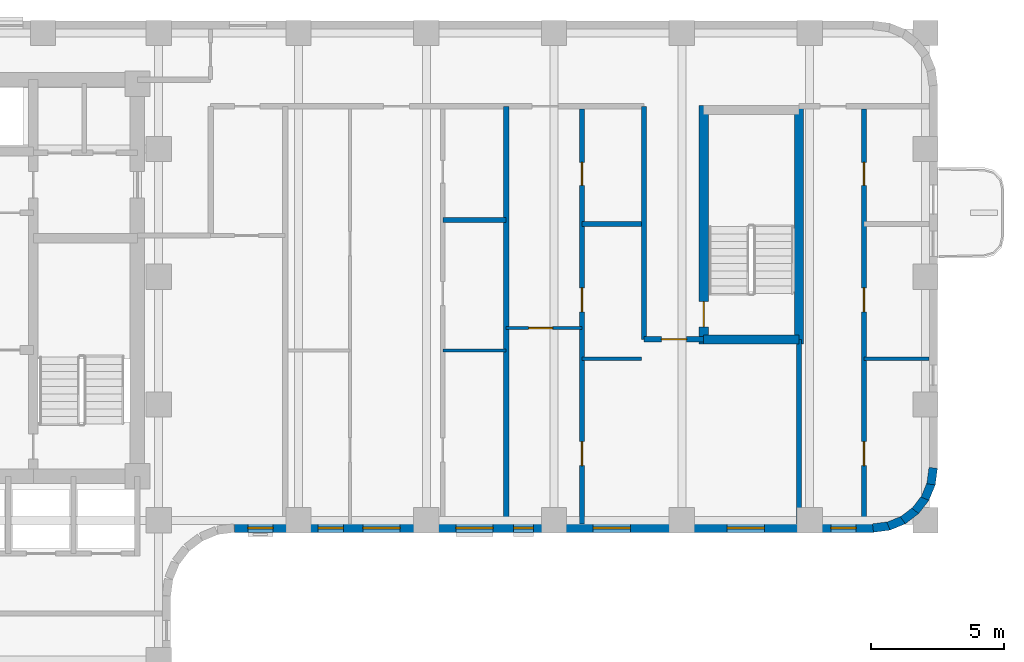
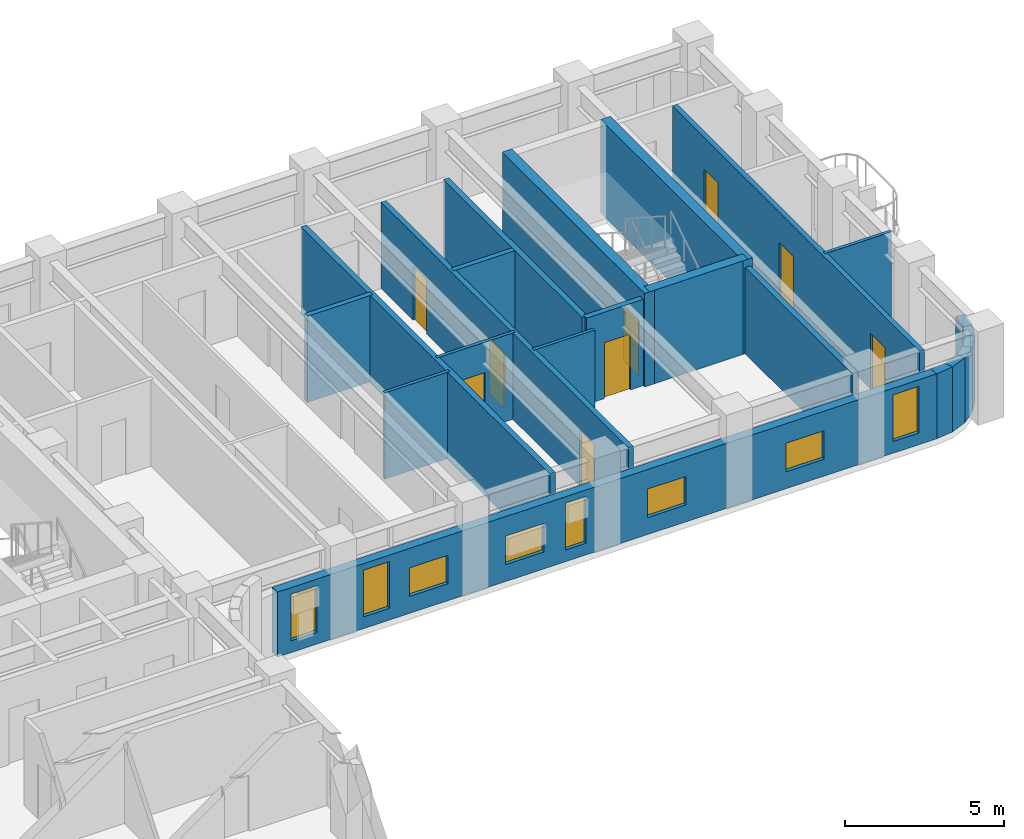
# One storey, part 5 of 10: 22 walls, 9 doors, 8 windows, 17 openings.
"""IFC4 building model written with IfcOpenShell, lengths in metres."""

from ifc_helpers import new_model, si_unit, direction, frame, frame_2d, origin, place, context, subcontext, project, spatial, rectangle, extrude, material, layer, layer_set, type_object, element, fill, save


model = new_model("IFC4")

# Units and contexts
model_context = context("Model", 3, precision=1e-05, world=origin(), true_north=direction((0.0, 1.0)))
body_context = subcontext(model_context, "Body", "Model", "MODEL_VIEW")
ifc_project = project(units=[si_unit("LENGTHUNIT", "METRE"), si_unit("AREAUNIT", "SQUARE_METRE"), si_unit("VOLUMEUNIT", "CUBIC_METRE"), si_unit("PLANEANGLEUNIT", "RADIAN"), si_unit("MASSUNIT", "GRAM", prefix="KILO")], contexts=[model_context])

# Site, building, storey
site_placement = place(None, origin())
site = spatial("IfcSite", under=ifc_project, at=site_placement, CompositionType="ELEMENT")
building_placement = place(site_placement, origin())
building = spatial("IfcBuilding", under=site, at=building_placement, Name="Orvandelia Arch Residences", CompositionType="ELEMENT")
storey_placement = place(building_placement, frame((0.0, 0.0, 150.39990234375)))
storey = spatial("IfcBuildingStorey", under=building, at=storey_placement, Name="L39", CompositionType="ELEMENT", Elevation=150.39990234375)

# Wall, opening, door
ifc_material_1 = material(Name="Concrete C50/60", Category="concrete")
ifc_layer_1 = layer(ifc_material_1, 0.35009765625, Name="Concrete C50/60", Category="concrete")
ifc_layer_set_1 = layer_set([ifc_layer_1], Name="Concrete C50/60")
wall_type_1 = type_object("IfcWallType", Name="WL-CORE-350", PredefinedType="SHEAR", material=ifc_layer_set_1)
wall_1_placement = place(storey_placement, frame((44.02001953125, 35.864990234375, 0.0), z_axis=(0.0, 0.0, 1.0), x_axis=(0.0, 1.0, 0.0)))
wall_1 = element("IfcWall", 1, at=wall_1_placement, inside=storey, type_object=wall_type_1, Name="East Stair Core Shear Wall L39-W", PredefinedType="SHEAR", context=body_context, shape_type="SweptSolid", body=[
    extrude(rectangle(XDim=8.969970703125, YDim=0.35009765625, at=frame_2d((4.48486328125, 0.0))), origin(), (0.0, 0.0, 1.0), 3.60009765625),
])
opening_1_placement = place(wall_1_placement, frame((0.64990234375, 0.0, 0.0)))
opening_1 = element("IfcOpeningElement", 2, at=opening_1_placement, cuts=wall_1, Name="Opening D7", PredefinedType="OPENING", context=body_context, shape_type="SweptSolid", body=[
    extrude(rectangle(XDim=0.949951171875, YDim=2.10009765625, at=frame_2d((0.47509765625, 1.050048828125))), frame((0.0, 0.18505859375, 0.0), z_axis=(0.0, -1.0, 0.0), x_axis=(1.0, 0.0, 0.0)), (0.0, 0.0, 1.0), 0.3701171875),
])
ifc_material_2 = material(Name="Pressurised Stairwell Fire Door")
door_type_1 = type_object("IfcDoorType", Name="DR-STAIR-950", OperationType="NOTDEFINED", PredefinedType="DOOR", material=ifc_material_2)
door_1_placement = place(opening_1_placement, origin())
door_1 = element("IfcDoor", 3, at=door_1_placement, inside=storey, type_object=door_type_1, Name="East Stairwell ST-3 Fire Door L39", OperationType="SINGLE_SWING_LEFT", OverallHeight=2.10009765625, OverallWidth=0.949951171875, PredefinedType="DOOR", context=body_context, shape_type="SweptSolid", body=[
    extrude(rectangle(XDim=0.949951171875, YDim=2.10009765625, at=frame_2d((0.47509765625, 1.050048828125))), frame((0.0, 0.02490234375, 0.0), z_axis=(0.0, -1.0, 0.0), x_axis=(1.0, 0.0, 0.0)), (0.0, 0.0, 1.0), 0.050048828125),
])
fill(opening_1, door_1)

# Walls
wall_2_placement = place(storey_placement, frame((47.60009765625, 35.864990234375, 0.0), z_axis=(0.0, 0.0, 1.0), x_axis=(0.0, 1.0, 0.0)))
element("IfcWall", 4, at=wall_2_placement, inside=storey, type_object=wall_type_1, Name="East Stair Core Shear Wall L39-E", PredefinedType="SHEAR", context=body_context, shape_type="SweptSolid", body=[
    extrude(rectangle(XDim=8.969970703125, YDim=0.35009765625, at=frame_2d((4.48486328125, 0.0))), origin(), (0.0, 0.0, 1.0), 3.60009765625),
])
wall_3_placement = place(storey_placement, frame((44.02001953125, 36.0400390625, 0.0), z_axis=(0.0, 0.0, 1.0), x_axis=(1.0, 0.0, 0.0)))
element("IfcWall", 5, at=wall_3_placement, inside=storey, type_object=wall_type_1, Name="East Stair Core Shear Wall L39-S", PredefinedType="SHEAR", context=body_context, shape_type="SweptSolid", body=[
    extrude(rectangle(XDim=3.580078125, YDim=0.35009765625, at=frame_2d((1.7900390625, 0.0))), origin(), (0.0, 0.0, 1.0), 3.60009765625),
])
ifc_material_3 = material(Name="Fire-Rated Corridor Partition")
ifc_layer_2 = layer(ifc_material_3, 0.199951171875, Name="Fire-Rated Corridor Partition")
ifc_layer_set_2 = layer_set([ifc_layer_2], Name="Fire-Rated Corridor Partition")
wall_type_2 = type_object("IfcWallType", Name="WL-CORR-200", PredefinedType="PARTITIONING", material=ifc_layer_set_2)
wall_4_placement = place(storey_placement, frame((41.780029296875, 36.050048828125, 0.0), z_axis=(0.0, 0.0, 1.0), x_axis=(0.0, 1.0, 0.0)))
element("IfcWall", 6, at=wall_4_placement, inside=storey, type_object=wall_type_2, Name="Interior Partition Wall WL-L39-EN2-SW", PredefinedType="PARTITIONING", context=body_context, shape_type="SweptSolid", body=[
    extrude(rectangle(XDim=8.75, YDim=0.199951171875, at=frame_2d((4.375, 0.0))), origin(), (0.0, 0.0, 1.0), 3.320068359375),
])

# Wall, opening, door
wall_5_placement = place(storey_placement, frame((41.780029296875, 36.050048828125, 0.0), z_axis=(0.0, 0.0, 1.0), x_axis=(1.0, 0.0, 0.0)))
wall_5 = element("IfcWall", 7, at=wall_5_placement, inside=storey, type_object=wall_type_2, Name="Interior Partition Wall WL-L39-EN2-SS", PredefinedType="PARTITIONING", context=body_context, shape_type="SweptSolid", body=[
    extrude(rectangle(XDim=2.239990234375, YDim=0.199951171875, at=frame_2d((1.1201171875, 0.0))), origin(), (0.0, 0.0, 1.0), 3.320068359375),
])
opening_2_placement = place(wall_5_placement, frame((0.64990234375, 0.0, 0.0)))
opening_2 = element("IfcOpeningElement", 8, at=opening_2_placement, cuts=wall_5, Name="Opening D2", PredefinedType="OPENING", context=body_context, shape_type="SweptSolid", body=[
    extrude(rectangle(XDim=0.949951171875, YDim=2.14990234375, at=frame_2d((0.47509765625, 1.074951171875))), frame((0.0, 0.10986328125, 0.0), z_axis=(0.0, -1.0, 0.0), x_axis=(1.0, 0.0, 0.0)), (0.0, 0.0, 1.0), 0.219970703125),
])
ifc_material_4 = material(Name="Solid-Core Timber Interior Fire Door", Category="wood")
door_type_2 = type_object("IfcDoorType", Name="DR-APT-950", OperationType="NOTDEFINED", PredefinedType="DOOR", material=ifc_material_4)
door_2_placement = place(opening_2_placement, origin())
door_2 = element("IfcDoor", 9, at=door_2_placement, inside=storey, type_object=door_type_2, Name="DR-L39-EN2SLN", OperationType="SINGLE_SWING_LEFT", OverallHeight=2.14990234375, OverallWidth=0.949951171875, PredefinedType="DOOR", context=body_context, shape_type="SweptSolid", body=[
    extrude(rectangle(XDim=0.949951171875, YDim=2.14990234375, at=frame_2d((0.47509765625, 1.074951171875))), frame((0.0, 0.02490234375, 0.0), z_axis=(0.0, -1.0, 0.0), x_axis=(1.0, 0.0, 0.0)), (0.0, 0.0, 1.0), 0.050048828125),
])
fill(opening_2, door_2)

# Walls
ifc_material_5 = material(Name="Concrete C40/50", Category="concrete")
ifc_layer_3 = layer(ifc_material_5, 0.199951171875, Name="Concrete C40/50", Category="concrete")
ifc_layer_set_3 = layer_set([ifc_layer_3], Name="Concrete C40/50")
wall_type_3 = type_object("IfcWallType", Name="WL-DEM-200", PredefinedType="SOLIDWALL", material=ifc_layer_set_3)
wall_6_placement = place(storey_placement, frame((36.60009765625, 29.1201171875, 0.0), z_axis=(0.0, 0.0, 1.0), x_axis=(0.0, 1.0, 0.0)))
element("IfcWall", 10, at=wall_6_placement, inside=storey, type_object=wall_type_3, Name="Interior Partition Wall WL-L39-DEM-EN2-366", PredefinedType="SOLIDWALL", context=body_context, shape_type="SweptSolid", body=[
    extrude(rectangle(XDim=15.679931640625, YDim=0.199951171875, at=frame_2d((7.83984375, 0.0))), origin(), (0.0, 0.0, 1.0), 3.320068359375),
])
wall_7_placement = place(storey_placement, frame((47.60009765625, 29.1201171875, 0.0), z_axis=(0.0, 0.0, 1.0), x_axis=(0.0, 1.0, 0.0)))
element("IfcWall", 11, at=wall_7_placement, inside=storey, type_object=wall_type_3, Name="Interior Partition Wall WL-L39-EN2-SLE", PredefinedType="SOLIDWALL", context=body_context, shape_type="SweptSolid", body=[
    extrude(rectangle(XDim=6.919921875, YDim=0.199951171875, at=frame_2d((3.4599609375, 0.0))), origin(), (0.0, 0.0, 1.0), 3.320068359375),
])
ifc_material_6 = material(Name="Precast concrete C40/50", Category="concrete")
ifc_layer_4 = layer(ifc_material_6, 0.320068359375, Name="Precast concrete C40/50", Category="concrete")
ifc_layer_set_4 = layer_set([ifc_layer_4], Name="Precast concrete C40/50")
wall_type_4 = type_object("IfcWallType", Name="WL-EXT-STONE-320", PredefinedType="STANDARD", material=ifc_layer_set_4)
wall_8_placement = place(storey_placement, frame((52.641357421875, 31.220947265625, 0.0), z_axis=(0.0, 0.0, 1.0), x_axis=(-0.130504898859, -0.991447664465, 0.0)))
element("IfcWall", 12, at=wall_8_placement, inside=storey, type_object=wall_type_4, Name="Coral-Limestone Precast Facade Wall L39-015", PredefinedType="STANDARD", context=body_context, shape_type="SweptSolid", body=[
    extrude(rectangle(XDim=0.626708984375, YDim=0.320068359375, at=frame_2d((0.3134765625, 0.0))), origin(), (0.0, 0.0, 1.0), 2.5),
])
wall_9_placement = place(storey_placement, frame((52.5703125, 30.639892578125, 0.0), z_axis=(0.0, 0.0, 1.0), x_axis=(-0.382455093999, -0.923974080304, 0.0)))
element("IfcWall", 13, at=wall_9_placement, inside=storey, type_object=wall_type_4, Name="Coral-Limestone Precast Facade Wall L39-016", PredefinedType="STANDARD", context=body_context, shape_type="SweptSolid", body=[
    extrude(rectangle(XDim=0.626220703125, YDim=0.320068359375, at=frame_2d((0.31298828125, 0.0))), origin(), (0.0, 0.0, 1.0), 2.5),
])
wall_10_placement = place(storey_placement, frame((52.3515625, 30.097412109375, 0.0), z_axis=(0.0, 0.0, 1.0), x_axis=(-0.608693302629, -0.793405610854, 0.0)))
element("IfcWall", 14, at=wall_10_placement, inside=storey, type_object=wall_type_4, Name="Coral-Limestone Precast Facade Wall L39-017", PredefinedType="STANDARD", context=body_context, shape_type="SweptSolid", body=[
    extrude(rectangle(XDim=0.62646484375, YDim=0.320068359375, at=frame_2d((0.313232421875, 0.0))), origin(), (0.0, 0.0, 1.0), 2.5),
])
wall_11_placement = place(storey_placement, frame((51.999755859375, 29.6298828125, 0.0), z_axis=(0.0, 0.0, 1.0), x_axis=(-0.7932174212, -0.608938521285, 0.0)))
element("IfcWall", 15, at=wall_11_placement, inside=storey, type_object=wall_type_4, Name="Coral-Limestone Precast Facade Wall L39-018", PredefinedType="STANDARD", context=body_context, shape_type="SweptSolid", body=[
    extrude(rectangle(XDim=0.626708984375, YDim=0.320068359375, at=frame_2d((0.3134765625, 0.0))), origin(), (0.0, 0.0, 1.0), 2.5),
])
for number, where, z_axis, x_axis, name in (
    (16, (51.538818359375, 29.269287109375, 0.0), (0.0, 0.0, 1.0), (-0.92389335771, -0.382650053678, 0.0), "Coral-Limestone Precast Facade Wall L39-019"),
    (17, (51.000244140625, 29.040283203125, 0.0), (0.0, 0.0, 1.0), (-0.9914410257, -0.130555323746, 0.0), "Coral-Limestone Precast Facade Wall L39-020"),
):
    element("IfcWall", number, at=place(storey_placement, frame(where, z_axis=z_axis, x_axis=x_axis)), inside=storey, type_object=wall_type_4, Name=name, PredefinedType="STANDARD", context=body_context, shape_type="SweptSolid", body=[
        extrude(rectangle(XDim=0.62646484375, YDim=0.320068359375, at=frame_2d((0.313232421875, 0.0))), origin(), (0.0, 0.0, 1.0), 2.5),
    ])

# Wall, openings, windows
wall_12_placement = place(storey_placement, frame((50.39990234375, 28.9599609375, 0.0), z_axis=(0.0, 0.0, 1.0), x_axis=(-1.0, 0.0, 0.0)))
wall_12 = element("IfcWall", 18, at=wall_12_placement, inside=storey, type_object=wall_type_4, Name="Coral-Limestone Precast Facade Wall L39-021", PredefinedType="STANDARD", context=body_context, shape_type="SweptSolid", body=[
    extrude(rectangle(XDim=24.0, YDim=0.320068359375, at=frame_2d((12.0, 0.0))), origin(), (0.0, 0.0, 1.0), 2.5),
])
opening_3_placement = place(wall_12_placement, frame((14.2900390625, 0.0, 0.64990234375)))
opening_3 = element("IfcOpeningElement", 19, at=opening_3_placement, cuts=wall_12, Name="Opening W10", PredefinedType="OPENING", context=body_context, shape_type="SweptSolid", body=[
    extrude(rectangle(XDim=1.39990234375, YDim=1.10009765625, at=frame_2d((0.699951171875, 0.550048828125))), frame((0.0, 0.169921875, 0.0), z_axis=(0.0, -1.0, 0.0), x_axis=(1.0, 0.0, 0.0)), (0.0, 0.0, 1.0), 0.340087890625),
])
opening_4_placement = place(wall_12_placement, frame((19.912109375, 0.0, 0.449951171875)))
opening_4 = element("IfcOpeningElement", 20, at=opening_4_placement, cuts=wall_12, Name="Opening W4", PredefinedType="OPENING", context=body_context, shape_type="SweptSolid", body=[
    extrude(rectangle(XDim=0.949951171875, YDim=1.800048828125, at=frame_2d((0.47509765625, 0.89990234375))), frame((0.0, 0.169921875, 0.0), z_axis=(0.0, -1.0, 0.0), x_axis=(1.0, 0.0, 0.0)), (0.0, 0.0, 1.0), 0.340087890625),
])
opening_5_placement = place(wall_12_placement, frame((9.135009765625, 0.0, 0.64990234375)))
opening_5 = element("IfcOpeningElement", 21, at=opening_5_placement, cuts=wall_12, Name="Opening W10", PredefinedType="OPENING", context=body_context, shape_type="SweptSolid", body=[
    extrude(rectangle(XDim=1.39990234375, YDim=1.10009765625, at=frame_2d((0.699951171875, 0.550048828125))), frame((0.0, 0.169921875, 0.0), z_axis=(0.0, -1.0, 0.0), x_axis=(1.0, 0.0, 0.0)), (0.0, 0.0, 1.0), 0.340087890625),
])
opening_6_placement = place(wall_12_placement, frame((22.554931640625, 0.0, 0.449951171875)))
opening_6 = element("IfcOpeningElement", 22, at=opening_6_placement, cuts=wall_12, Name="Opening W4", PredefinedType="OPENING", context=body_context, shape_type="SweptSolid", body=[
    extrude(rectangle(XDim=0.949951171875, YDim=1.800048828125, at=frame_2d((0.47509765625, 0.89990234375))), frame((0.0, 0.169921875, 0.0), z_axis=(0.0, -1.0, 0.0), x_axis=(1.0, 0.0, 0.0)), (0.0, 0.0, 1.0), 0.340087890625),
])
opening_7_placement = place(wall_12_placement, frame((4.10009765625, 0.0, 0.64990234375)))
opening_7 = element("IfcOpeningElement", 23, at=opening_7_placement, cuts=wall_12, Name="Opening W10", PredefinedType="OPENING", context=body_context, shape_type="SweptSolid", body=[
    extrude(rectangle(XDim=1.39990234375, YDim=1.10009765625, at=frame_2d((0.699951171875, 0.550048828125))), frame((0.0, 0.169921875, 0.0), z_axis=(0.0, -1.0, 0.0), x_axis=(1.0, 0.0, 0.0)), (0.0, 0.0, 1.0), 0.340087890625),
])
opening_8_placement = place(wall_12_placement, frame((17.781982421875, 0.0, 0.64990234375)))
opening_8 = element("IfcOpeningElement", 24, at=opening_8_placement, cuts=wall_12, Name="Opening W10", PredefinedType="OPENING", context=body_context, shape_type="SweptSolid", body=[
    extrude(rectangle(XDim=1.39990234375, YDim=1.10009765625, at=frame_2d((0.699951171875, 0.550048828125))), frame((0.0, 0.169921875, 0.0), z_axis=(0.0, -1.0, 0.0), x_axis=(1.0, 0.0, 0.0)), (0.0, 0.0, 1.0), 0.340087890625),
])
opening_9_placement = place(wall_12_placement, frame((12.7724609375, 0.0, 0.449951171875)))
opening_9 = element("IfcOpeningElement", 25, at=opening_9_placement, cuts=wall_12, Name="Opening W11", PredefinedType="OPENING", context=body_context, shape_type="SweptSolid", body=[
    extrude(rectangle(XDim=0.75, YDim=1.800048828125, at=frame_2d((0.375, 0.89990234375))), frame((0.0, 0.169921875, 0.0), z_axis=(0.0, -1.0, 0.0), x_axis=(1.0, 0.0, 0.0)), (0.0, 0.0, 1.0), 0.340087890625),
])
opening_10_placement = place(wall_12_placement, frame((0.656005859375, 0.0, 0.449951171875)))
opening_10 = element("IfcOpeningElement", 26, at=opening_10_placement, cuts=wall_12, Name="Opening W4", PredefinedType="OPENING", context=body_context, shape_type="SweptSolid", body=[
    extrude(rectangle(XDim=0.949951171875, YDim=1.800048828125, at=frame_2d((0.47509765625, 0.89990234375))), frame((0.0, 0.169921875, 0.0), z_axis=(0.0, -1.0, 0.0), x_axis=(1.0, 0.0, 0.0)), (0.0, 0.0, 1.0), 0.340087890625),
])
ifc_material_7 = material(Name="Tempered Low-E Insulated Glazing", Category="glass")
window_type_1 = type_object("IfcWindowType", Name="WIN-BED-0750x1800", PartitioningType="SINGLE_PANEL", PredefinedType="WINDOW", material=ifc_material_7)
window_1_placement = place(opening_9_placement, origin())
window_1 = element("IfcWindow", 27, at=window_1_placement, inside=storey, type_object=window_type_1, Name="Recessed Punched Window L39-012", OverallHeight=1.800048828125, OverallWidth=0.75, PartitioningType="SINGLE_PANEL", PredefinedType="WINDOW", context=body_context, shape_type="SweptSolid", body=[
    extrude(rectangle(XDim=0.75, YDim=1.800048828125, at=frame_2d((0.375, 0.89990234375))), frame((0.0, 0.030029296875, 0.0), z_axis=(0.0, -1.0, 0.0), x_axis=(1.0, 0.0, 0.0)), (0.0, 0.0, 1.0), 0.06005859375),
])
fill(opening_9, window_1)
window_type_2 = type_object("IfcWindowType", Name="WIN-CLR-1400x1100", PartitioningType="SINGLE_PANEL", PredefinedType="WINDOW", material=ifc_material_7)
window_2_placement = place(opening_3_placement, origin())
window_2 = element("IfcWindow", 28, at=window_2_placement, inside=storey, type_object=window_type_2, Name="Recessed Punched Window L39-006", OverallHeight=1.10009765625, OverallWidth=1.39990234375, PartitioningType="SINGLE_PANEL", PredefinedType="WINDOW", context=body_context, shape_type="SweptSolid", body=[
    extrude(rectangle(XDim=1.39990234375, YDim=1.10009765625, at=frame_2d((0.699951171875, 0.550048828125))), frame((0.0, 0.030029296875, 0.0), z_axis=(0.0, -1.0, 0.0), x_axis=(1.0, 0.0, 0.0)), (0.0, 0.0, 1.0), 0.06005859375),
])
fill(opening_3, window_2)
window_3_placement = place(opening_5_placement, origin())
window_3 = element("IfcWindow", 29, at=window_3_placement, inside=storey, type_object=window_type_2, Name="Recessed Punched Window L39-008", OverallHeight=1.10009765625, OverallWidth=1.39990234375, PartitioningType="SINGLE_PANEL", PredefinedType="WINDOW", context=body_context, shape_type="SweptSolid", body=[
    extrude(rectangle(XDim=1.39990234375, YDim=1.10009765625, at=frame_2d((0.699951171875, 0.550048828125))), frame((0.0, 0.030029296875, 0.0), z_axis=(0.0, -1.0, 0.0), x_axis=(1.0, 0.0, 0.0)), (0.0, 0.0, 1.0), 0.06005859375),
])
fill(opening_5, window_3)
window_4_placement = place(opening_7_placement, origin())
window_4 = element("IfcWindow", 30, at=window_4_placement, inside=storey, type_object=window_type_2, Name="Recessed Punched Window L39-010", OverallHeight=1.10009765625, OverallWidth=1.39990234375, PartitioningType="SINGLE_PANEL", PredefinedType="WINDOW", context=body_context, shape_type="SweptSolid", body=[
    extrude(rectangle(XDim=1.39990234375, YDim=1.10009765625, at=frame_2d((0.699951171875, 0.550048828125))), frame((0.0, 0.030029296875, 0.0), z_axis=(0.0, -1.0, 0.0), x_axis=(1.0, 0.0, 0.0)), (0.0, 0.0, 1.0), 0.06005859375),
])
fill(opening_7, window_4)
window_5_placement = place(opening_8_placement, origin())
window_5 = element("IfcWindow", 31, at=window_5_placement, inside=storey, type_object=window_type_2, Name="Recessed Punched Window L39-011", OverallHeight=1.10009765625, OverallWidth=1.39990234375, PartitioningType="SINGLE_PANEL", PredefinedType="WINDOW", context=body_context, shape_type="SweptSolid", body=[
    extrude(rectangle(XDim=1.39990234375, YDim=1.10009765625, at=frame_2d((0.699951171875, 0.550048828125))), frame((0.0, 0.030029296875, 0.0), z_axis=(0.0, -1.0, 0.0), x_axis=(1.0, 0.0, 0.0)), (0.0, 0.0, 1.0), 0.06005859375),
])
fill(opening_8, window_5)
window_type_3 = type_object("IfcWindowType", Name="WIN-RES-0950x1800", PartitioningType="SINGLE_PANEL", PredefinedType="WINDOW", material=ifc_material_7)
window_6_placement = place(opening_4_placement, origin())
window_6 = element("IfcWindow", 32, at=window_6_placement, inside=storey, type_object=window_type_3, Name="Recessed Punched Window L39-007", OverallHeight=1.800048828125, OverallWidth=0.949951171875, PartitioningType="SINGLE_PANEL", PredefinedType="WINDOW", context=body_context, shape_type="SweptSolid", body=[
    extrude(rectangle(XDim=0.949951171875, YDim=1.800048828125, at=frame_2d((0.47509765625, 0.89990234375))), frame((0.0, 0.030029296875, 0.0), z_axis=(0.0, -1.0, 0.0), x_axis=(1.0, 0.0, 0.0)), (0.0, 0.0, 1.0), 0.06005859375),
])
fill(opening_4, window_6)
window_7_placement = place(opening_6_placement, origin())
window_7 = element("IfcWindow", 33, at=window_7_placement, inside=storey, type_object=window_type_3, Name="Recessed Punched Window L39-009", OverallHeight=1.800048828125, OverallWidth=0.949951171875, PartitioningType="SINGLE_PANEL", PredefinedType="WINDOW", context=body_context, shape_type="SweptSolid", body=[
    extrude(rectangle(XDim=0.949951171875, YDim=1.800048828125, at=frame_2d((0.47509765625, 0.89990234375))), frame((0.0, 0.030029296875, 0.0), z_axis=(0.0, -1.0, 0.0), x_axis=(1.0, 0.0, 0.0)), (0.0, 0.0, 1.0), 0.06005859375),
])
fill(opening_6, window_7)
window_8_placement = place(opening_10_placement, origin())
window_8 = element("IfcWindow", 34, at=window_8_placement, inside=storey, type_object=window_type_3, Name="Recessed Punched Window L39-013", OverallHeight=1.800048828125, OverallWidth=0.949951171875, PartitioningType="SINGLE_PANEL", PredefinedType="WINDOW", context=body_context, shape_type="SweptSolid", body=[
    extrude(rectangle(XDim=0.949951171875, YDim=1.800048828125, at=frame_2d((0.47509765625, 0.89990234375))), frame((0.0, 0.030029296875, 0.0), z_axis=(0.0, -1.0, 0.0), x_axis=(1.0, 0.0, 0.0)), (0.0, 0.0, 1.0), 0.06005859375),
])
fill(opening_10, window_8)

# Wall
ifc_material_8 = material(Name="Lightweight Gypsum Stud Partition")
ifc_layer_5 = layer(ifc_material_8, 0.1201171875, Name="Lightweight Gypsum Stud Partition")
ifc_layer_set_5 = layer_set([ifc_layer_5], Name="Lightweight Gypsum Stud Partition")
wall_type_5 = type_object("IfcWallType", Name="WL-PART-120", PredefinedType="PARTITIONING", material=ifc_layer_set_5)
wall_13_placement = place(storey_placement, frame((34.219970703125, 35.62890625, 0.0), z_axis=(0.0, 0.0, 1.0), x_axis=(1.0, 0.0, 0.0)))
element("IfcWall", 35, at=wall_13_placement, inside=storey, type_object=wall_type_5, Name="Interior Partition Wall WL-L39-U03-H1", PredefinedType="PARTITIONING", context=body_context, shape_type="SweptSolid", body=[
    extrude(rectangle(XDim=2.380126953125, YDim=0.1201171875, at=frame_2d((1.18994140625, 0.0))), origin(), (0.0, 0.0, 1.0), 3.320068359375),
])

# Wall, opening, door
wall_14_placement = place(storey_placement, frame((36.60009765625, 36.468017578125, 0.0), z_axis=(0.0, 0.0, 1.0), x_axis=(1.0, 0.0, 0.0)))
wall_14 = element("IfcWall", 36, at=wall_14_placement, inside=storey, type_object=wall_type_5, Name="Interior Partition Wall WL-L39-U04-DIN", PredefinedType="PARTITIONING", context=body_context, shape_type="SweptSolid", body=[
    extrude(rectangle(XDim=2.849853515625, YDim=0.1201171875, at=frame_2d((1.4248046875, 0.0))), origin(), (0.0, 0.0, 1.0), 3.320068359375),
])
opening_11_placement = place(wall_14_placement, frame((0.841552734375, 0.0, 0.0)))
opening_11 = element("IfcOpeningElement", 37, at=opening_11_placement, cuts=wall_14, Name="Opening D3", PredefinedType="OPENING", context=body_context, shape_type="SweptSolid", body=[
    extrude(rectangle(XDim=0.89990234375, YDim=2.14990234375, at=frame_2d((0.449951171875, 1.074951171875))), frame((0.0, 0.070068359375, 0.0), z_axis=(0.0, -1.0, 0.0), x_axis=(1.0, 0.0, 0.0)), (0.0, 0.0, 1.0), 0.14013671875),
])
ifc_material_9 = material(Name="Engineered Timber Flush Door", Category="wood")
door_type_3 = type_object("IfcDoorType", Name="DR-INT-900", OperationType="NOTDEFINED", PredefinedType="DOOR", material=ifc_material_9)
door_3_placement = place(opening_11_placement, origin())
door_3 = element("IfcDoor", 38, at=door_3_placement, inside=storey, type_object=door_type_3, Name="DR-L39-U04-DIN", OperationType="SINGLE_SWING_LEFT", OverallHeight=2.14990234375, OverallWidth=0.89990234375, PredefinedType="DOOR", context=body_context, shape_type="SweptSolid", body=[
    extrude(rectangle(XDim=0.89990234375, YDim=2.14990234375, at=frame_2d((0.449951171875, 1.074951171875))), frame((0.0, 0.02490234375, 0.0), z_axis=(0.0, -1.0, 0.0), x_axis=(1.0, 0.0, 0.0)), (0.0, 0.0, 1.0), 0.050048828125),
])
fill(opening_11, door_3)

# Walls
wall_15_placement = place(storey_placement, frame((39.449951171875, 35.31591796875, 0.0), z_axis=(0.0, 0.0, 1.0), x_axis=(1.0, 0.0, 0.0)))
element("IfcWall", 39, at=wall_15_placement, inside=storey, type_object=wall_type_5, Name="Interior Partition Wall WL-L39-U04-H1", PredefinedType="PARTITIONING", context=body_context, shape_type="SweptSolid", body=[
    extrude(rectangle(XDim=2.22998046875, YDim=0.1201171875, at=frame_2d((1.114990234375, 0.0))), origin(), (0.0, 0.0, 1.0), 3.320068359375),
])
wall_16_placement = place(storey_placement, frame((50.04296875, 35.31591796875, 0.0), z_axis=(0.0, 0.0, 1.0), x_axis=(1.0, 0.0, 0.0)))
element("IfcWall", 40, at=wall_16_placement, inside=storey, type_object=wall_type_5, Name="Interior Partition Wall WL-L39-U05-H1", PredefinedType="PARTITIONING", context=body_context, shape_type="SweptSolid", body=[
    extrude(rectangle(XDim=2.43701171875, YDim=0.1201171875, at=frame_2d((1.218505859375, 0.0))), origin(), (0.0, 0.0, 1.0), 3.320068359375),
])
ifc_material_10 = material(Name="Moisture-Resistant Plumbing Wall")
ifc_layer_6 = layer(ifc_material_10, 0.179931640625, Name="Moisture-Resistant Plumbing Wall")
ifc_layer_set_6 = layer_set([ifc_layer_6], Name="Moisture-Resistant Plumbing Wall")
wall_type_6 = type_object("IfcWallType", Name="WL-WET-180", PredefinedType="PLUMBINGWALL", material=ifc_layer_set_6)
wall_17_placement = place(storey_placement, frame((34.219970703125, 40.527099609375, 0.0), z_axis=(0.0, 0.0, 1.0), x_axis=(1.0, 0.0, 0.0)))
element("IfcWall", 41, at=wall_17_placement, inside=storey, type_object=wall_type_6, Name="Interior Partition Wall WL-L39-U03-H2", PredefinedType="PLUMBINGWALL", context=body_context, shape_type="SweptSolid", body=[
    extrude(rectangle(XDim=2.380126953125, YDim=0.179931640625, at=frame_2d((1.18994140625, 0.0))), origin(), (0.0, 0.0, 1.0), 3.320068359375),
])

# Wall, openings, doors
wall_18_placement = place(storey_placement, frame((39.449951171875, 29.1201171875, 0.0), z_axis=(0.0, 0.0, 1.0), x_axis=(0.0, 1.0, 0.0)))
wall_18 = element("IfcWall", 42, at=wall_18_placement, inside=storey, type_object=wall_type_6, Name="Interior Partition Wall WL-L39-U04-VT", PredefinedType="PLUMBINGWALL", context=body_context, shape_type="SweptSolid", body=[
    extrude(rectangle(XDim=15.579833984375, YDim=0.179931640625, at=frame_2d((7.7900390625, 0.0))), origin(), (0.0, 0.0, 1.0), 3.320068359375),
])
opening_12_placement = place(wall_18_placement, frame((2.1826171875, 0.0, 0.0)))
opening_12 = element("IfcOpeningElement", 43, at=opening_12_placement, cuts=wall_18, Name="Opening D3", PredefinedType="OPENING", context=body_context, shape_type="SweptSolid", body=[
    extrude(rectangle(XDim=0.89990234375, YDim=2.14990234375, at=frame_2d((0.449951171875, 1.074951171875))), frame((0.0, 0.10009765625, 0.0), z_axis=(0.0, -1.0, 0.0), x_axis=(1.0, 0.0, 0.0)), (0.0, 0.0, 1.0), 0.199951171875),
])
opening_13_placement = place(wall_18_placement, frame((7.958740234375, 0.0, 0.0)))
opening_13 = element("IfcOpeningElement", 44, at=opening_13_placement, cuts=wall_18, Name="Opening D3", PredefinedType="OPENING", context=body_context, shape_type="SweptSolid", body=[
    extrude(rectangle(XDim=0.89990234375, YDim=2.14990234375, at=frame_2d((0.449951171875, 1.074951171875))), frame((0.0, 0.10009765625, 0.0), z_axis=(0.0, -1.0, 0.0), x_axis=(1.0, 0.0, 0.0)), (0.0, 0.0, 1.0), 0.199951171875),
])
opening_14_placement = place(wall_18_placement, frame((12.710693359375, 0.0, 0.0)))
opening_14 = element("IfcOpeningElement", 45, at=opening_14_placement, cuts=wall_18, Name="Opening D4", PredefinedType="OPENING", context=body_context, shape_type="SweptSolid", body=[
    extrude(rectangle(XDim=0.860107421875, YDim=2.10009765625, at=frame_2d((0.43017578125, 1.050048828125))), frame((0.0, 0.10009765625, 0.0), z_axis=(0.0, -1.0, 0.0), x_axis=(1.0, 0.0, 0.0)), (0.0, 0.0, 1.0), 0.199951171875),
])
door_4_placement = place(opening_12_placement, origin())
door_4 = element("IfcDoor", 46, at=door_4_placement, inside=storey, type_object=door_type_3, Name="DR-L39-U04-BD1", OperationType="SINGLE_SWING_RIGHT", OverallHeight=2.14990234375, OverallWidth=0.89990234375, PredefinedType="DOOR", context=body_context, shape_type="SweptSolid", body=[
    extrude(rectangle(XDim=0.89990234375, YDim=2.14990234375, at=frame_2d((0.449951171875, 1.074951171875))), frame((0.0, 0.02490234375, 0.0), z_axis=(0.0, -1.0, 0.0), x_axis=(1.0, 0.0, 0.0)), (0.0, 0.0, 1.0), 0.050048828125),
])
fill(opening_12, door_4)
door_5_placement = place(opening_13_placement, origin())
door_5 = element("IfcDoor", 47, at=door_5_placement, inside=storey, type_object=door_type_3, Name="DR-L39-U04-KIT", OperationType="SINGLE_SWING_LEFT", OverallHeight=2.14990234375, OverallWidth=0.89990234375, PredefinedType="DOOR", context=body_context, shape_type="SweptSolid", body=[
    extrude(rectangle(XDim=0.89990234375, YDim=2.14990234375, at=frame_2d((0.449951171875, 1.074951171875))), frame((0.0, 0.02490234375, 0.0), z_axis=(0.0, -1.0, 0.0), x_axis=(1.0, 0.0, 0.0)), (0.0, 0.0, 1.0), 0.050048828125),
])
fill(opening_13, door_5)
ifc_material_11 = material(Name="Moisture-Sealed Timber Bathroom Door", Category="wood")
door_type_4 = type_object("IfcDoorType", Name="DR-WET-900", OperationType="NOTDEFINED", PredefinedType="DOOR", material=ifc_material_11)
door_6_placement = place(opening_14_placement, origin())
door_6 = element("IfcDoor", 48, at=door_6_placement, inside=storey, type_object=door_type_4, Name="DR-L39-U04-BTH", OperationType="SINGLE_SWING_RIGHT", OverallHeight=2.10009765625, OverallWidth=0.860107421875, PredefinedType="DOOR", context=body_context, shape_type="SweptSolid", body=[
    extrude(rectangle(XDim=0.860107421875, YDim=2.10009765625, at=frame_2d((0.43017578125, 1.050048828125))), frame((0.0, 0.02490234375, 0.0), z_axis=(0.0, -1.0, 0.0), x_axis=(1.0, 0.0, 0.0)), (0.0, 0.0, 1.0), 0.050048828125),
])
fill(opening_14, door_6)

# Wall
wall_19_placement = place(storey_placement, frame((39.449951171875, 40.383056640625, 0.0), z_axis=(0.0, 0.0, 1.0), x_axis=(1.0, 0.0, 0.0)))
element("IfcWall", 49, at=wall_19_placement, inside=storey, type_object=wall_type_6, Name="Interior Partition Wall WL-L39-U04-H2", PredefinedType="PLUMBINGWALL", context=body_context, shape_type="SweptSolid", body=[
    extrude(rectangle(XDim=2.22998046875, YDim=0.179931640625, at=frame_2d((1.114990234375, 0.0))), origin(), (0.0, 0.0, 1.0), 3.320068359375),
])

# Wall, openings, doors
wall_20_placement = place(storey_placement, frame((50.04296875, 29.1201171875, 0.0), z_axis=(0.0, 0.0, 1.0), x_axis=(0.0, 1.0, 0.0)))
wall_20 = element("IfcWall", 50, at=wall_20_placement, inside=storey, type_object=wall_type_6, Name="Interior Partition Wall WL-L39-U05-VT", PredefinedType="PLUMBINGWALL", context=body_context, shape_type="SweptSolid", body=[
    extrude(rectangle(XDim=15.579833984375, YDim=0.179931640625, at=frame_2d((7.7900390625, 0.0))), origin(), (0.0, 0.0, 1.0), 3.320068359375),
])
opening_15_placement = place(wall_20_placement, frame((2.1826171875, 0.0, 0.0)))
opening_15 = element("IfcOpeningElement", 51, at=opening_15_placement, cuts=wall_20, Name="Opening D3", PredefinedType="OPENING", context=body_context, shape_type="SweptSolid", body=[
    extrude(rectangle(XDim=0.89990234375, YDim=2.14990234375, at=frame_2d((0.449951171875, 1.074951171875))), frame((0.0, 0.10009765625, 0.0), z_axis=(0.0, -1.0, 0.0), x_axis=(1.0, 0.0, 0.0)), (0.0, 0.0, 1.0), 0.199951171875),
])
opening_16_placement = place(wall_20_placement, frame((7.958740234375, 0.0, 0.0)))
opening_16 = element("IfcOpeningElement", 52, at=opening_16_placement, cuts=wall_20, Name="Opening D3", PredefinedType="OPENING", context=body_context, shape_type="SweptSolid", body=[
    extrude(rectangle(XDim=0.89990234375, YDim=2.14990234375, at=frame_2d((0.449951171875, 1.074951171875))), frame((0.0, 0.10009765625, 0.0), z_axis=(0.0, -1.0, 0.0), x_axis=(1.0, 0.0, 0.0)), (0.0, 0.0, 1.0), 0.199951171875),
])
opening_17_placement = place(wall_20_placement, frame((12.710693359375, 0.0, 0.0)))
opening_17 = element("IfcOpeningElement", 53, at=opening_17_placement, cuts=wall_20, Name="Opening D4", PredefinedType="OPENING", context=body_context, shape_type="SweptSolid", body=[
    extrude(rectangle(XDim=0.860107421875, YDim=2.10009765625, at=frame_2d((0.43017578125, 1.050048828125))), frame((0.0, 0.10009765625, 0.0), z_axis=(0.0, -1.0, 0.0), x_axis=(1.0, 0.0, 0.0)), (0.0, 0.0, 1.0), 0.199951171875),
])
door_7_placement = place(opening_15_placement, origin())
door_7 = element("IfcDoor", 54, at=door_7_placement, inside=storey, type_object=door_type_3, Name="DR-L39-U05-BD1", OperationType="SINGLE_SWING_LEFT", OverallHeight=2.14990234375, OverallWidth=0.89990234375, PredefinedType="DOOR", context=body_context, shape_type="SweptSolid", body=[
    extrude(rectangle(XDim=0.89990234375, YDim=2.14990234375, at=frame_2d((0.449951171875, 1.074951171875))), frame((0.0, 0.02490234375, 0.0), z_axis=(0.0, -1.0, 0.0), x_axis=(1.0, 0.0, 0.0)), (0.0, 0.0, 1.0), 0.050048828125),
])
fill(opening_15, door_7)
door_8_placement = place(opening_16_placement, origin())
door_8 = element("IfcDoor", 55, at=door_8_placement, inside=storey, type_object=door_type_3, Name="DR-L39-U05-KIT", OperationType="SINGLE_SWING_RIGHT", OverallHeight=2.14990234375, OverallWidth=0.89990234375, PredefinedType="DOOR", context=body_context, shape_type="SweptSolid", body=[
    extrude(rectangle(XDim=0.89990234375, YDim=2.14990234375, at=frame_2d((0.449951171875, 1.074951171875))), frame((0.0, 0.02490234375, 0.0), z_axis=(0.0, -1.0, 0.0), x_axis=(1.0, 0.0, 0.0)), (0.0, 0.0, 1.0), 0.050048828125),
])
fill(opening_16, door_8)
door_9_placement = place(opening_17_placement, origin())
door_9 = element("IfcDoor", 56, at=door_9_placement, inside=storey, type_object=door_type_4, Name="DR-L39-U05-BTH", OperationType="SINGLE_SWING_LEFT", OverallHeight=2.10009765625, OverallWidth=0.860107421875, PredefinedType="DOOR", context=body_context, shape_type="SweptSolid", body=[
    extrude(rectangle(XDim=0.860107421875, YDim=2.10009765625, at=frame_2d((0.43017578125, 1.050048828125))), frame((0.0, 0.02490234375, 0.0), z_axis=(0.0, -1.0, 0.0), x_axis=(1.0, 0.0, 0.0)), (0.0, 0.0, 1.0), 0.050048828125),
])
fill(opening_17, door_9)

save(model, "model.ifc")
